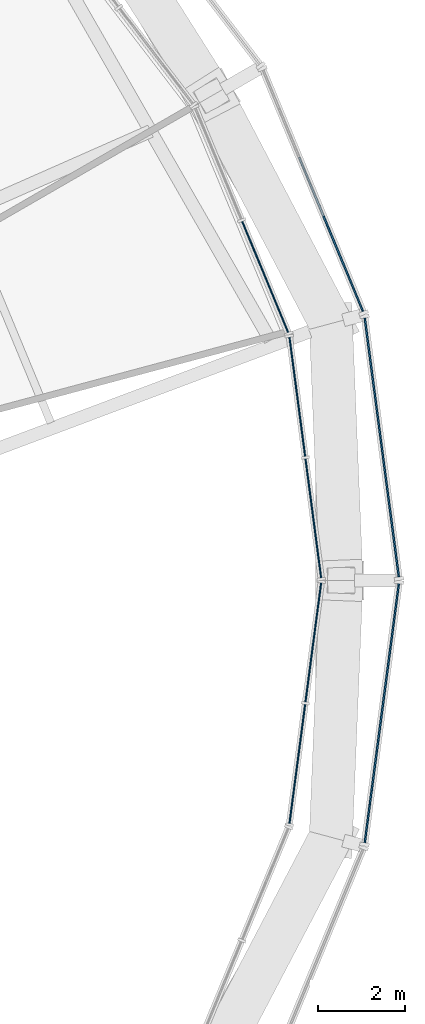
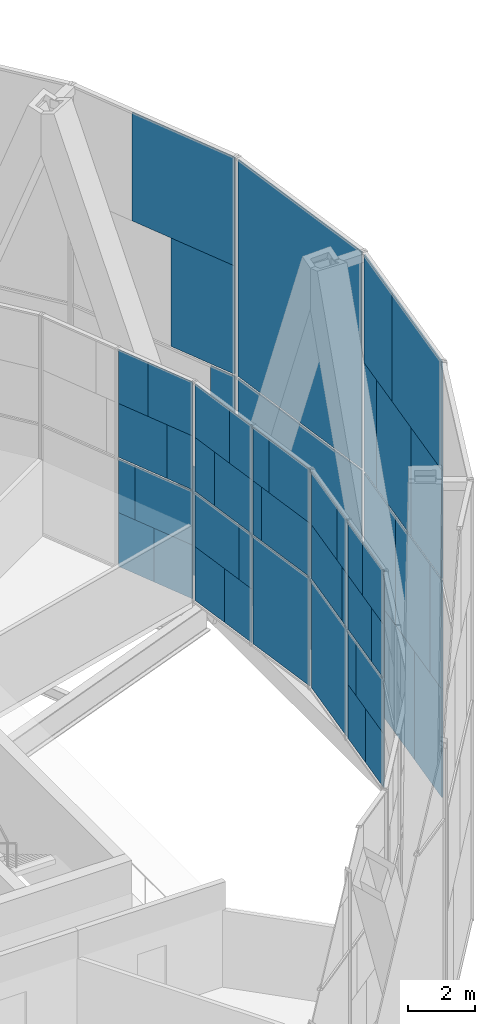
# One storey, part 15 of 22: 50 plates, 6 elements without a shape of their own.
"""IFC4 building model written with IfcOpenShell, lengths in metres."""

from ifc_helpers import new_model, si_unit, direction, frame, origin, origin_2d, place, context, subcontext, project, spatial, rectangle, extrude, material, layer, layer_set, type_object, element, aggregate, save


model = new_model("IFC4")

# Units and contexts
model_context = context("Model", 3, precision=1e-05, world=origin(), true_north=direction((0.0, 1.0)))
body_context = subcontext(model_context, "Body", "Model", "MODEL_VIEW")
ifc_project = project(units=[si_unit("LENGTHUNIT", "METRE"), si_unit("AREAUNIT", "SQUARE_METRE"), si_unit("VOLUMEUNIT", "CUBIC_METRE"), si_unit("PLANEANGLEUNIT", "RADIAN"), si_unit("MASSUNIT", "GRAM", prefix="KILO")], contexts=[model_context])

# Site, building, storey
site_placement = place(None, origin())
site = spatial("IfcSite", under=ifc_project, at=site_placement, CompositionType="ELEMENT")
building_placement = place(site_placement, origin())
building = spatial("IfcBuilding", under=site, at=building_placement, Name="Golbaran Civic Tower", CompositionType="ELEMENT")
storey_placement = place(building_placement, frame((0.0, 0.0, 264.0)))
storey = spatial("IfcBuildingStorey", under=building, at=storey_placement, Name="L64", CompositionType="ELEMENT", Elevation=264.0)

# Curtain wall, plates
ifc_material_1 = material(Name="Aluminium and glass", Category="aluminium")
curtain_wall_type_1 = type_object("IfcCurtainWallType", Name="INNER SKIN CURTAIN WALL EXECUTIVE", PredefinedType="NOTDEFINED", material=ifc_material_1)
curtain_wall_1_placement = place(storey_placement, origin())
curtain_wall_1 = element("IfcCurtainWall", 1, at=curtain_wall_1_placement, inside=storey, type_object=curtain_wall_type_1, Name="Inner skin L64 facet 1 CW2", ObjectType="INNER SKIN", PredefinedType="USERDEFINED")
ifc_material_2 = material(Name="Clear insulating glass", Category="glass")
ifc_layer_1 = layer(ifc_material_2, 0.031982421875, Name="Clear insulating glass")
ifc_layer_set_1 = layer_set([ifc_layer_1], Name="Clear insulating glass")
plate_type_1 = type_object("IfcPlateType", Name="INNER SKIN CURTAIN WALL EXECUTIVE GLAZED PANEL", PredefinedType="CURTAIN_PANEL", material=ifc_layer_set_1)
plate_1_placement = place(storey_placement, frame((21.750244140625, 1.434326171875, 0.06005859375), z_axis=(0.0, 0.0, 1.0), x_axis=(-0.130526192203, 0.991444861376, 0.0)))
plate_1 = element("IfcPlate", 2, at=plate_1_placement, type_object=plate_type_1, Name="CW2 panel 1.1", PredefinedType="CURTAIN_PANEL", context=body_context, shape_type="SweptSolid", body=[
    extrude(rectangle(XDim=2.773681640625, YDim=0.031982421875, at=origin_2d()), origin(), (0.0, 0.0, 1.0), 3.909912109375),
])
plate_2_placement = place(storey_placement, frame((21.7763671875, 1.2353515625, 4.030029296875), z_axis=(0.0, 0.0, 1.0), x_axis=(-0.130526192203, 0.991444861376, 0.0)))
plate_2 = element("IfcPlate", 3, at=plate_2_placement, type_object=plate_type_1, Name="CW2 panel 1.2 part 1", PredefinedType="CURTAIN_PANEL", context=body_context, shape_type="SweptSolid", body=[
    extrude(rectangle(XDim=2.3720703125, YDim=0.031982421875, at=origin_2d()), origin(), (0.0, 0.0, 1.0), 1.955078125),
])
plate_3_placement = place(storey_placement, frame((21.8017578125, 1.0419921875, 5.98486328125), z_axis=(0.0, 0.0, 1.0), x_axis=(-0.130526192203, 0.991444861376, 0.0)))
plate_3 = element("IfcPlate", 4, at=plate_3_placement, type_object=plate_type_1, Name="CW2 panel 1.2 part 3", PredefinedType="CURTAIN_PANEL", context=body_context, shape_type="SweptSolid", body=[
    extrude(rectangle(XDim=1.98193359375, YDim=0.031982421875, at=origin_2d()), origin(), (0.0, 0.0, 1.0), 1.955078125),
])
plate_4_placement = place(storey_placement, frame((21.473876953125, 3.533203125, 0.06005859375), z_axis=(0.0, 0.0, 1.0), x_axis=(-0.130526192203, 0.991444861376, 0.0)))
plate_4 = element("IfcPlate", 5, at=plate_4_placement, type_object=plate_type_1, Name="CW2 panel 2.1 part 1", PredefinedType="CURTAIN_PANEL", context=body_context, shape_type="SweptSolid", body=[
    extrude(rectangle(XDim=1.340087890625, YDim=0.031982421875, at=origin_2d()), origin(), (0.0, 0.0, 1.0), 1.955078125),
])
plate_5_placement = place(storey_placement, frame((21.52099609375, 3.17431640625, 2.014892578125), z_axis=(0.0, 0.0, 1.0), x_axis=(-0.130526192203, 0.991444861376, 0.0)))
plate_5 = element("IfcPlate", 6, at=plate_5_placement, type_object=plate_type_1, Name="CW2 panel 2.1 part 3", PredefinedType="CURTAIN_PANEL", context=body_context, shape_type="SweptSolid", body=[
    extrude(rectangle(XDim=0.615966796875, YDim=0.031982421875, at=origin_2d()), origin(), (0.0, 0.0, 1.0), 1.955078125),
])
plate_6_placement = place(storey_placement, frame((21.260986328125, 5.1494140625, 4.030029296875), z_axis=(0.0, 0.0, 1.0), x_axis=(-0.130526192203, 0.991444861376, 0.0)))
plate_6 = element("IfcPlate", 7, at=plate_6_placement, type_object=plate_type_1, Name="CW2 panel 2.2 part 2", PredefinedType="CURTAIN_PANEL", context=body_context, shape_type="SweptSolid", body=[
    extrude(rectangle(XDim=0.946533203125, YDim=0.031982421875, at=origin_2d()), origin(), (0.0, 0.0, 1.0), 1.955078125),
])
plate_7_placement = place(storey_placement, frame((21.308349609375, 4.791015625, 5.98486328125), z_axis=(0.0, 0.0, 1.0), x_axis=(-0.130526192203, 0.991444861376, 0.0)))
plate_7 = element("IfcPlate", 8, at=plate_7_placement, type_object=plate_type_1, Name="CW2 panel 2.2 part 4", PredefinedType="CURTAIN_PANEL", context=body_context, shape_type="SweptSolid", body=[
    extrude(rectangle(XDim=1.669677734375, YDim=0.031982421875, at=origin_2d()), origin(), (0.0, 0.0, 1.0), 1.955078125),
])

curtain_wall_2_placement = place(storey_placement, origin())
curtain_wall_2 = element("IfcCurtainWall", 9, at=curtain_wall_2_placement, inside=storey, type_object=curtain_wall_type_1, Name="Inner skin L64 facet 2 CW2", ObjectType="INNER SKIN", PredefinedType="USERDEFINED")
plate_8_placement = place(storey_placement, frame((20.36328125, 7.67724609375, 0.06005859375), z_axis=(0.0, 0.0, 1.0), x_axis=(-0.382683432349, 0.923879532518, 0.0)))
plate_8 = element("IfcPlate", 10, at=plate_8_placement, type_object=plate_type_1, Name="CW2 panel 1.1 part 2", PredefinedType="CURTAIN_PANEL", context=body_context, shape_type="SweptSolid", body=[
    extrude(rectangle(XDim=1.339599609375, YDim=0.031982421875, at=origin_2d()), origin(), (0.0, 0.0, 1.0), 1.955078125),
])
plate_9_placement = place(storey_placement, frame((20.22509765625, 8.01123046875, 2.014892578125), z_axis=(0.0, 0.0, 1.0), x_axis=(-0.382683432349, 0.923879532518, 0.0)))
plate_9 = element("IfcPlate", 11, at=plate_9_placement, type_object=plate_type_1, Name="CW2 panel 1.1 part 4", PredefinedType="CURTAIN_PANEL", context=body_context, shape_type="SweptSolid", body=[
    extrude(rectangle(XDim=0.61669921875, YDim=0.031982421875, at=origin_2d()), origin(), (0.0, 0.0, 1.0), 1.955078125),
])
plate_10_placement = place(storey_placement, frame((20.987548828125, 6.170654296875, 4.030029296875), z_axis=(0.0, 0.0, 1.0), x_axis=(-0.382683432349, 0.923879532518, 0.0)))
plate_10 = element("IfcPlate", 12, at=plate_10_placement, type_object=plate_type_1, Name="CW2 panel 1.2 part 1", PredefinedType="CURTAIN_PANEL", context=body_context, shape_type="SweptSolid", body=[
    extrude(rectangle(XDim=0.946044921875, YDim=0.031982421875, at=origin_2d()), origin(), (0.0, 0.0, 1.0), 1.955078125),
])
plate_11_placement = place(storey_placement, frame((20.84912109375, 6.504638671875, 5.98486328125), z_axis=(0.0, 0.0, 1.0), x_axis=(-0.382683432349, 0.923879532518, 0.0)))
plate_11 = element("IfcPlate", 13, at=plate_11_placement, type_object=plate_type_1, Name="CW2 panel 1.2 part 3", PredefinedType="CURTAIN_PANEL", context=body_context, shape_type="SweptSolid", body=[
    extrude(rectangle(XDim=1.6689453125, YDim=0.031982421875, at=origin_2d()), origin(), (0.0, 0.0, 1.0), 1.955078125),
])

curtain_wall_3_placement = place(storey_placement, origin())
curtain_wall_3 = element("IfcCurtainWall", 14, at=curtain_wall_3_placement, inside=storey, type_object=curtain_wall_type_1, Name="Inner skin L64 facet 24 CW2", ObjectType="INNER SKIN", PredefinedType="USERDEFINED")
plate_12_placement = place(storey_placement, frame((21.473876953125, -3.532958984375, 0.06005859375), z_axis=(0.0, 0.0, 1.0), x_axis=(0.130526192203, 0.991444861376, 0.0)))
plate_12 = element("IfcPlate", 15, at=plate_12_placement, type_object=plate_type_1, Name="CW2 panel 1.1 part 2", PredefinedType="CURTAIN_PANEL", context=body_context, shape_type="SweptSolid", body=[
    extrude(rectangle(XDim=1.339599609375, YDim=0.031982421875, at=origin_2d()), origin(), (0.0, 0.0, 1.0), 1.955078125),
])
plate_13_placement = place(storey_placement, frame((21.52099609375, -3.174560546875, 2.014892578125), z_axis=(0.0, 0.0, 1.0), x_axis=(0.130526192203, 0.991444861376, 0.0)))
plate_13 = element("IfcPlate", 16, at=plate_13_placement, type_object=plate_type_1, Name="CW2 panel 1.1 part 4", PredefinedType="CURTAIN_PANEL", context=body_context, shape_type="SweptSolid", body=[
    extrude(rectangle(XDim=0.61669921875, YDim=0.031982421875, at=origin_2d()), origin(), (0.0, 0.0, 1.0), 1.955078125),
])
plate_14_placement = place(storey_placement, frame((21.260986328125, -5.14990234375, 4.030029296875), z_axis=(0.0, 0.0, 1.0), x_axis=(0.130526192203, 0.991444861376, 0.0)))
plate_14 = element("IfcPlate", 17, at=plate_14_placement, type_object=plate_type_1, Name="CW2 panel 1.2 part 1", PredefinedType="CURTAIN_PANEL", context=body_context, shape_type="SweptSolid", body=[
    extrude(rectangle(XDim=0.946044921875, YDim=0.031982421875, at=origin_2d()), origin(), (0.0, 0.0, 1.0), 1.955078125),
])
plate_15_placement = place(storey_placement, frame((21.30810546875, -4.79150390625, 5.98486328125), z_axis=(0.0, 0.0, 1.0), x_axis=(0.130526192203, 0.991444861376, 0.0)))
plate_15 = element("IfcPlate", 18, at=plate_15_placement, type_object=plate_type_1, Name="CW2 panel 1.2 part 3", PredefinedType="CURTAIN_PANEL", context=body_context, shape_type="SweptSolid", body=[
    extrude(rectangle(XDim=1.6689453125, YDim=0.031982421875, at=origin_2d()), origin(), (0.0, 0.0, 1.0), 1.955078125),
])
plate_16_placement = place(storey_placement, frame((21.750244140625, -1.434326171875, 0.06005859375), z_axis=(0.0, 0.0, 1.0), x_axis=(0.130526192203, 0.991444861376, 0.0)))
plate_16 = element("IfcPlate", 19, at=plate_16_placement, type_object=plate_type_1, Name="CW2 panel 2.1", PredefinedType="CURTAIN_PANEL", context=body_context, shape_type="SweptSolid", body=[
    extrude(rectangle(XDim=2.773681640625, YDim=0.031982421875, at=origin_2d()), origin(), (0.0, 0.0, 1.0), 3.909912109375),
])
plate_17_placement = place(storey_placement, frame((21.7763671875, -1.235595703125, 4.030029296875), z_axis=(0.0, 0.0, 1.0), x_axis=(0.130526192203, 0.991444861376, 0.0)))
plate_17 = element("IfcPlate", 20, at=plate_17_placement, type_object=plate_type_1, Name="CW2 panel 2.2 part 2", PredefinedType="CURTAIN_PANEL", context=body_context, shape_type="SweptSolid", body=[
    extrude(rectangle(XDim=2.37255859375, YDim=0.031982421875, at=origin_2d()), origin(), (0.0, 0.0, 1.0), 1.955078125),
])
plate_18_placement = place(storey_placement, frame((21.8017578125, -1.041748046875, 5.98486328125), z_axis=(0.0, 0.0, 1.0), x_axis=(0.130526192203, 0.991444861376, 0.0)))
plate_18 = element("IfcPlate", 21, at=plate_18_placement, type_object=plate_type_1, Name="CW2 panel 2.2 part 4", PredefinedType="CURTAIN_PANEL", context=body_context, shape_type="SweptSolid", body=[
    extrude(rectangle(XDim=1.981689453125, YDim=0.031982421875, at=origin_2d()), origin(), (0.0, 0.0, 1.0), 1.955078125),
])

# Plate
ifc_material_3 = material(Name="Aluminium faced opaque infill panel", Category="aluminium")
ifc_layer_2 = layer(ifc_material_3, 0.031982421875, Name="Aluminium faced opaque infill panel")
ifc_layer_set_2 = layer_set([ifc_layer_2], Name="Aluminium faced opaque infill panel")
plate_type_2 = type_object("IfcPlateType", Name="INNER SKIN CURTAIN WALL EXECUTIVE OPAQUE INFILL PANEL", PredefinedType="CURTAIN_PANEL", material=ifc_layer_set_2)
plate_19_placement = place(storey_placement, frame((21.595458984375, 2.6103515625, 4.030029296875), z_axis=(0.0, 0.0, 1.0), x_axis=(-0.130526192203, 0.991444861376, 0.0)))
plate_19 = element("IfcPlate", 22, at=plate_19_placement, type_object=plate_type_2, Name="CW2 infill panel 1.2 part 2", PredefinedType="CURTAIN_PANEL", context=body_context, shape_type="SweptSolid", body=[
    extrude(rectangle(XDim=0.401611328125, YDim=0.031982421875, at=origin_2d()), origin(), (0.0, 0.0, 1.0), 1.955078125),
])

plate_20_placement = place(storey_placement, frame((21.620849609375, 2.4169921875, 5.98486328125), z_axis=(0.0, 0.0, 1.0), x_axis=(-0.130526192203, 0.991444861376, 0.0)))
plate_20 = element("IfcPlate", 23, at=plate_20_placement, type_object=plate_type_2, Name="CW2 infill panel 1.2 part 4", PredefinedType="CURTAIN_PANEL", context=body_context, shape_type="SweptSolid", body=[
    extrude(rectangle(XDim=0.79150390625, YDim=0.031982421875, at=origin_2d()), origin(), (0.0, 0.0, 1.0), 1.955078125),
])

plate_21_placement = place(storey_placement, frame((21.292724609375, 4.907958984375, 0.06005859375), z_axis=(0.0, 0.0, 1.0), x_axis=(-0.130526192203, 0.991444861376, 0.0)))
plate_21 = element("IfcPlate", 24, at=plate_21_placement, type_object=plate_type_2, Name="CW2 infill panel 2.1 part 2", PredefinedType="CURTAIN_PANEL", context=body_context, shape_type="SweptSolid", body=[
    extrude(rectangle(XDim=1.43359375, YDim=0.031982421875, at=origin_2d()), origin(), (0.0, 0.0, 1.0), 1.955078125),
])

plate_22_placement = place(storey_placement, frame((21.340087890625, 4.549072265625, 2.014892578125), z_axis=(0.0, 0.0, 1.0), x_axis=(-0.130526192203, 0.991444861376, 0.0)))
plate_22 = element("IfcPlate", 25, at=plate_22_placement, type_object=plate_type_2, Name="CW2 infill panel 2.1 part 4", PredefinedType="CURTAIN_PANEL", context=body_context, shape_type="SweptSolid", body=[
    extrude(rectangle(XDim=2.15771484375, YDim=0.031982421875, at=origin_2d()), origin(), (0.0, 0.0, 1.0), 1.955078125),
])

plate_23_placement = place(storey_placement, frame((21.442138671875, 3.774658203125, 4.030029296875), z_axis=(0.0, 0.0, 1.0), x_axis=(-0.130526192203, 0.991444861376, 0.0)))
plate_23 = element("IfcPlate", 26, at=plate_23_placement, type_object=plate_type_2, Name="CW2 infill panel 2.2 part 1", PredefinedType="CURTAIN_PANEL", context=body_context, shape_type="SweptSolid", body=[
    extrude(rectangle(XDim=1.826904296875, YDim=0.031982421875, at=origin_2d()), origin(), (0.0, 0.0, 1.0), 1.955078125),
])

plate_24_placement = place(storey_placement, frame((21.4892578125, 3.416015625, 5.98486328125), z_axis=(0.0, 0.0, 1.0), x_axis=(-0.130526192203, 0.991444861376, 0.0)))
plate_24 = element("IfcPlate", 27, at=plate_24_placement, type_object=plate_type_2, Name="CW2 infill panel 2.2 part 3", PredefinedType="CURTAIN_PANEL", context=body_context, shape_type="SweptSolid", body=[
    extrude(rectangle(XDim=1.10400390625, YDim=0.031982421875, at=origin_2d()), origin(), (0.0, 0.0, 1.0), 1.955078125),
])

aggregate(curtain_wall_1, [plate_1, plate_2, plate_19, plate_3, plate_20, plate_4, plate_21, plate_5, plate_22, plate_23, plate_6, plate_24, plate_7])

plate_25_placement = place(storey_placement, frame((20.89404296875, 6.39599609375, 0.06005859375), z_axis=(0.0, 0.0, 1.0), x_axis=(-0.382683432349, 0.923879532518, 0.0)))
plate_25 = element("IfcPlate", 28, at=plate_25_placement, type_object=plate_type_2, Name="CW2 infill panel 1.1 part 1", PredefinedType="CURTAIN_PANEL", context=body_context, shape_type="SweptSolid", body=[
    extrude(rectangle(XDim=1.43408203125, YDim=0.031982421875, at=origin_2d()), origin(), (0.0, 0.0, 1.0), 1.955078125),
])

plate_26_placement = place(storey_placement, frame((20.755859375, 6.72998046875, 2.014892578125), z_axis=(0.0, 0.0, 1.0), x_axis=(-0.382683432349, 0.923879532518, 0.0)))
plate_26 = element("IfcPlate", 29, at=plate_26_placement, type_object=plate_type_2, Name="CW2 infill panel 1.1 part 3", PredefinedType="CURTAIN_PANEL", context=body_context, shape_type="SweptSolid", body=[
    extrude(rectangle(XDim=2.156982421875, YDim=0.031982421875, at=origin_2d()), origin(), (0.0, 0.0, 1.0), 1.955078125),
])

plate_27_placement = place(storey_placement, frame((20.456787109375, 7.451904296875, 4.030029296875), z_axis=(0.0, 0.0, 1.0), x_axis=(-0.382683432349, 0.923879532518, 0.0)))
plate_27 = element("IfcPlate", 30, at=plate_27_placement, type_object=plate_type_2, Name="CW2 infill panel 1.2 part 2", PredefinedType="CURTAIN_PANEL", context=body_context, shape_type="SweptSolid", body=[
    extrude(rectangle(XDim=1.82763671875, YDim=0.031982421875, at=origin_2d()), origin(), (0.0, 0.0, 1.0), 1.955078125),
])

plate_28_placement = place(storey_placement, frame((20.318359375, 7.785888671875, 5.98486328125), z_axis=(0.0, 0.0, 1.0), x_axis=(-0.382683432349, 0.923879532518, 0.0)))
plate_28 = element("IfcPlate", 31, at=plate_28_placement, type_object=plate_type_2, Name="CW2 infill panel 1.2 part 4", PredefinedType="CURTAIN_PANEL", context=body_context, shape_type="SweptSolid", body=[
    extrude(rectangle(XDim=1.1044921875, YDim=0.031982421875, at=origin_2d()), origin(), (0.0, 0.0, 1.0), 1.955078125),
])

aggregate(curtain_wall_2, [plate_25, plate_8, plate_26, plate_9, plate_10, plate_27, plate_11, plate_28])

plate_29_placement = place(storey_placement, frame((21.29296875, -4.907958984375, 0.06005859375), z_axis=(0.0, 0.0, 1.0), x_axis=(0.130526192203, 0.991444861376, 0.0)))
plate_29 = element("IfcPlate", 32, at=plate_29_placement, type_object=plate_type_2, Name="CW2 infill panel 1.1 part 1", PredefinedType="CURTAIN_PANEL", context=body_context, shape_type="SweptSolid", body=[
    extrude(rectangle(XDim=1.43408203125, YDim=0.031982421875, at=origin_2d()), origin(), (0.0, 0.0, 1.0), 1.955078125),
])

plate_30_placement = place(storey_placement, frame((21.340087890625, -4.549560546875, 2.014892578125), z_axis=(0.0, 0.0, 1.0), x_axis=(0.130526192203, 0.991444861376, 0.0)))
plate_30 = element("IfcPlate", 33, at=plate_30_placement, type_object=plate_type_2, Name="CW2 infill panel 1.1 part 3", PredefinedType="CURTAIN_PANEL", context=body_context, shape_type="SweptSolid", body=[
    extrude(rectangle(XDim=2.156982421875, YDim=0.031982421875, at=origin_2d()), origin(), (0.0, 0.0, 1.0), 1.955078125),
])

plate_31_placement = place(storey_placement, frame((21.442138671875, -3.77490234375, 4.030029296875), z_axis=(0.0, 0.0, 1.0), x_axis=(0.130526192203, 0.991444861376, 0.0)))
plate_31 = element("IfcPlate", 34, at=plate_31_placement, type_object=plate_type_2, Name="CW2 infill panel 1.2 part 2", PredefinedType="CURTAIN_PANEL", context=body_context, shape_type="SweptSolid", body=[
    extrude(rectangle(XDim=1.82763671875, YDim=0.031982421875, at=origin_2d()), origin(), (0.0, 0.0, 1.0), 1.955078125),
])

plate_32_placement = place(storey_placement, frame((21.4892578125, -3.41650390625, 5.98486328125), z_axis=(0.0, 0.0, 1.0), x_axis=(0.130526192203, 0.991444861376, 0.0)))
plate_32 = element("IfcPlate", 35, at=plate_32_placement, type_object=plate_type_2, Name="CW2 infill panel 1.2 part 4", PredefinedType="CURTAIN_PANEL", context=body_context, shape_type="SweptSolid", body=[
    extrude(rectangle(XDim=1.1044921875, YDim=0.031982421875, at=origin_2d()), origin(), (0.0, 0.0, 1.0), 1.955078125),
])

plate_33_placement = place(storey_placement, frame((21.59521484375, -2.610595703125, 4.030029296875), z_axis=(0.0, 0.0, 1.0), x_axis=(0.130526192203, 0.991444861376, 0.0)))
plate_33 = element("IfcPlate", 36, at=plate_33_placement, type_object=plate_type_2, Name="CW2 infill panel 2.2 part 1", PredefinedType="CURTAIN_PANEL", context=body_context, shape_type="SweptSolid", body=[
    extrude(rectangle(XDim=0.40087890625, YDim=0.031982421875, at=origin_2d()), origin(), (0.0, 0.0, 1.0), 1.955078125),
])

plate_34_placement = place(storey_placement, frame((21.620849609375, -2.416748046875, 5.98486328125), z_axis=(0.0, 0.0, 1.0), x_axis=(0.130526192203, 0.991444861376, 0.0)))
plate_34 = element("IfcPlate", 37, at=plate_34_placement, type_object=plate_type_2, Name="CW2 infill panel 2.2 part 3", PredefinedType="CURTAIN_PANEL", context=body_context, shape_type="SweptSolid", body=[
    extrude(rectangle(XDim=0.7919921875, YDim=0.031982421875, at=origin_2d()), origin(), (0.0, 0.0, 1.0), 1.955078125),
])

aggregate(curtain_wall_3, [plate_29, plate_12, plate_30, plate_13, plate_14, plate_31, plate_15, plate_32, plate_16, plate_33, plate_17, plate_34, plate_18])

# Curtain wall, plates
curtain_wall_type_2 = type_object("IfcCurtainWallType", Name="OUTER SKIN TERRACOTTA SCREEN", PredefinedType="NOTDEFINED", material=ifc_material_1)
curtain_wall_4_placement = place(storey_placement, origin())
curtain_wall_4 = element("IfcCurtainWall", 38, at=curtain_wall_4_placement, inside=storey, type_object=curtain_wall_type_2, Name="Outer skin L64 facet 2 CW3", ObjectType="OUTER SKIN", PredefinedType="USERDEFINED")
ifc_material_4 = material(Name="Clear laminated glass", Category="glass")
ifc_layer_3 = layer(ifc_material_4, 0.0400390625, Name="Clear laminated glass")
ifc_layer_set_3 = layer_set([ifc_layer_3], Name="Clear laminated glass")
plate_type_3 = type_object("IfcPlateType", Name="OUTER SKIN CLEAR GLASS PANEL", PredefinedType="CURTAIN_PANEL", material=ifc_layer_set_3)
plate_35_placement = place(storey_placement, frame((22.727294921875, 6.631103515625, 3.31005859375), z_axis=(0.0, 0.0, 1.0), x_axis=(-0.382683432333, 0.923879532525, 0.0)))
plate_35 = element("IfcPlate", 39, at=plate_35_placement, type_object=plate_type_3, Name="CW3 panel 1.1 part 3", PredefinedType="CURTAIN_PANEL", context=body_context, shape_type="SweptSolid", body=[
    extrude(rectangle(XDim=0.89501953125, YDim=0.0400390625, at=origin_2d()), origin(), (0.0, 0.0, 1.0), 3.93994140625),
])
plate_36_placement = place(storey_placement, frame((22.442626953125, 7.318603515625, 7.330078125), z_axis=(0.0, 0.0, 1.0), x_axis=(-0.382683432333, 0.923879532525, 0.0)))
plate_36 = element("IfcPlate", 40, at=plate_36_placement, type_object=plate_type_3, Name="CW3 panel 1.2 part 1", PredefinedType="CURTAIN_PANEL", context=body_context, shape_type="SweptSolid", body=[
    extrude(rectangle(XDim=2.383056640625, YDim=0.0400390625, at=origin_2d()), origin(), (0.0, 0.0, 1.0), 3.93994140625),
])
plate_37_placement = place(storey_placement, frame((22.161376953125, 7.9970703125, 11.27001953125), z_axis=(0.0, 0.0, 1.0), x_axis=(-0.382683432333, 0.923879532525, 0.0)))
plate_37 = element("IfcPlate", 41, at=plate_37_placement, type_object=plate_type_3, Name="CW3 panel 1.2 part 4", PredefinedType="CURTAIN_PANEL", context=body_context, shape_type="SweptSolid", body=[
    extrude(rectangle(XDim=3.85205078125, YDim=0.0400390625, at=origin_2d()), origin(), (0.0, 0.0, 1.0), 3.93994140625),
])

curtain_wall_5_placement = place(storey_placement, origin())
curtain_wall_5 = element("IfcCurtainWall", 42, at=curtain_wall_5_placement, inside=storey, type_object=curtain_wall_type_2, Name="Outer skin L64 facet 24 CW3", ObjectType="OUTER SKIN", PredefinedType="USERDEFINED")
plate_38_placement = place(storey_placement, frame((23.472412109375, -2.01708984375, -0.6298828125), z_axis=(0.0, 0.0, 1.0), x_axis=(0.130526192289, 0.991444861365, 0.0)))
plate_38 = element("IfcPlate", 43, at=plate_38_placement, type_object=plate_type_3, Name="CW3 panel 1.1 part 2", PredefinedType="CURTAIN_PANEL", context=body_context, shape_type="SweptSolid", body=[
    extrude(rectangle(XDim=3.908935546875, YDim=0.0400390625, at=origin_2d()), origin(), (0.0, 0.0, 1.0), 3.93994140625),
])
plate_39_placement = place(storey_placement, frame((22.998046875, -5.620849609375, 3.31005859375), z_axis=(0.0, 0.0, 1.0), x_axis=(0.130526192289, 0.991444861365, 0.0)))
plate_39 = element("IfcPlate", 44, at=plate_39_placement, type_object=plate_type_3, Name="CW3 panel 1.1 part 3", PredefinedType="CURTAIN_PANEL", context=body_context, shape_type="SweptSolid", body=[
    extrude(rectangle(XDim=0.89501953125, YDim=0.0400390625, at=origin_2d()), origin(), (0.0, 0.0, 1.0), 3.93994140625),
])
plate_40_placement = place(storey_placement, frame((23.567626953125, -1.294677734375, 3.31005859375), z_axis=(0.0, 0.0, 1.0), x_axis=(0.130526192289, 0.991444861365, 0.0)))
plate_40 = element("IfcPlate", 45, at=plate_40_placement, type_object=plate_type_3, Name="CW3 panel 1.1 part 5", PredefinedType="CURTAIN_PANEL", context=body_context, shape_type="SweptSolid", body=[
    extrude(rectangle(XDim=2.451904296875, YDim=0.0400390625, at=origin_2d()), origin(), (0.0, 0.0, 1.0), 3.93994140625),
])
plate_41_placement = place(storey_placement, frame((23.09521484375, -4.88330078125, 7.330078125), z_axis=(0.0, 0.0, 1.0), x_axis=(0.130526192289, 0.991444861365, 0.0)))
plate_41 = element("IfcPlate", 46, at=plate_41_placement, type_object=plate_type_3, Name="CW3 panel 1.2 part 1", PredefinedType="CURTAIN_PANEL", context=body_context, shape_type="SweptSolid", body=[
    extrude(rectangle(XDim=2.383056640625, YDim=0.0400390625, at=origin_2d()), origin(), (0.0, 0.0, 1.0), 3.93994140625),
])
plate_42_placement = place(storey_placement, frame((23.66455078125, -0.5576171875, 7.330078125), z_axis=(0.0, 0.0, 1.0), x_axis=(0.130526192289, 0.991444861365, 0.0)))
plate_42 = element("IfcPlate", 47, at=plate_42_placement, type_object=plate_type_3, Name="CW3 panel 1.2 part 3", PredefinedType="CURTAIN_PANEL", context=body_context, shape_type="SweptSolid", body=[
    extrude(rectangle(XDim=0.96484375, YDim=0.0400390625, at=origin_2d()), origin(), (0.0, 0.0, 1.0), 3.93994140625),
])
plate_43_placement = place(storey_placement, frame((23.19091796875, -4.155029296875, 11.27001953125), z_axis=(0.0, 0.0, 1.0), x_axis=(0.130526192289, 0.991444861365, 0.0)))
plate_43 = element("IfcPlate", 48, at=plate_43_placement, type_object=plate_type_3, Name="CW3 panel 1.2 part 4", PredefinedType="CURTAIN_PANEL", context=body_context, shape_type="SweptSolid", body=[
    extrude(rectangle(XDim=3.85205078125, YDim=0.0400390625, at=origin_2d()), origin(), (0.0, 0.0, 1.0), 3.93994140625),
])

# Plate
ifc_material_5 = material(Name="Terracotta baguette screen", Category="masonry")
ifc_layer_4 = layer(ifc_material_5, 0.0400390625, Name="Terracotta baguette screen")
ifc_layer_set_4 = layer_set([ifc_layer_4], Name="Terracotta baguette screen")
plate_type_4 = type_object("IfcPlateType", Name="OUTER SKIN TERRACOTTA INFILL PANEL", PredefinedType="CURTAIN_PANEL", material=ifc_layer_set_4)
plate_44_placement = place(storey_placement, frame((22.491455078125, 7.20068359375, -0.6298828125), z_axis=(0.0, 0.0, 1.0), x_axis=(-0.382683432333, 0.923879532525, 0.0)))
plate_44 = element("IfcPlate", 49, at=plate_44_placement, type_object=plate_type_4, Name="CW3 infill panel 1.1 part 1", PredefinedType="CURTAIN_PANEL", context=body_context, shape_type="SweptSolid", body=[
    extrude(rectangle(XDim=2.1279296875, YDim=0.0400390625, at=origin_2d()), origin(), (0.0, 0.0, 1.0), 3.93994140625),
])

aggregate(curtain_wall_4, [plate_44, plate_35, plate_36, plate_37])

plate_45_placement = place(storey_placement, frame((23.078369140625, -5.009521484375, -0.6298828125), z_axis=(0.0, 0.0, 1.0), x_axis=(0.130526192289, 0.991444861365, 0.0)))
plate_45 = element("IfcPlate", 50, at=plate_45_placement, type_object=plate_type_4, Name="CW3 infill panel 1.1 part 1", PredefinedType="CURTAIN_PANEL", context=body_context, shape_type="SweptSolid", body=[
    extrude(rectangle(XDim=2.1279296875, YDim=0.0400390625, at=origin_2d()), origin(), (0.0, 0.0, 1.0), 3.93994140625),
])

plate_46_placement = place(storey_placement, frame((23.23193359375, -3.84375, 3.31005859375), z_axis=(0.0, 0.0, 1.0), x_axis=(0.130526192289, 0.991444861365, 0.0)))
plate_46 = element("IfcPlate", 51, at=plate_46_placement, type_object=plate_type_4, Name="CW3 infill panel 1.1 part 4", PredefinedType="CURTAIN_PANEL", context=body_context, shape_type="SweptSolid", body=[
    extrude(rectangle(XDim=2.68994140625, YDim=0.0400390625, at=origin_2d()), origin(), (0.0, 0.0, 1.0), 3.93994140625),
])

plate_47_placement = place(storey_placement, frame((23.426025390625, -2.368896484375, 7.330078125), z_axis=(0.0, 0.0, 1.0), x_axis=(0.130526192289, 0.991444861365, 0.0)))
plate_47 = element("IfcPlate", 52, at=plate_47_placement, type_object=plate_type_4, Name="CW3 infill panel 1.2 part 2", PredefinedType="CURTAIN_PANEL", context=body_context, shape_type="SweptSolid", body=[
    extrude(rectangle(XDim=2.68896484375, YDim=0.0400390625, at=origin_2d()), origin(), (0.0, 0.0, 1.0), 3.93994140625),
])

plate_48_placement = place(storey_placement, frame((23.5849609375, -1.162353515625, 11.27001953125), z_axis=(0.0, 0.0, 1.0), x_axis=(0.130526192289, 0.991444861365, 0.0)))
plate_48 = element("IfcPlate", 53, at=plate_48_placement, type_object=plate_type_4, Name="CW3 infill panel 1.2 part 5", PredefinedType="CURTAIN_PANEL", context=body_context, shape_type="SweptSolid", body=[
    extrude(rectangle(XDim=2.184814453125, YDim=0.0400390625, at=origin_2d()), origin(), (0.0, 0.0, 1.0), 3.93994140625),
])

aggregate(curtain_wall_5, [plate_45, plate_38, plate_39, plate_46, plate_40, plate_41, plate_47, plate_42, plate_43, plate_48])

# Curtain wall, plates
curtain_wall_6_placement = place(storey_placement, origin())
curtain_wall_6 = element("IfcCurtainWall", 54, at=curtain_wall_6_placement, inside=storey, type_object=curtain_wall_type_2, Name="Outer skin L64 facet 1 CW3", ObjectType="OUTER SKIN", PredefinedType="USERDEFINED")
ifc_layer_5 = layer(ifc_material_5, 0.0400390625, Name="Terracotta baguette screen")
ifc_layer_set_5 = layer_set([ifc_layer_5], Name="Terracotta baguette screen")
plate_type_5 = type_object("IfcPlateType", Name="OUTER SKIN TERRACOTTA SCREEN PANEL", PredefinedType="CURTAIN_PANEL", material=ifc_layer_set_5)
plate_49_placement = place(storey_placement, frame((23.33349609375, 3.072021484375, -0.6298828125), z_axis=(0.0, 0.0, 1.0), x_axis=(-0.130526192289, 0.991444861365, 0.0)))
plate_49 = element("IfcPlate", 55, at=plate_49_placement, type_object=plate_type_5, Name="CW3 terracotta screen panel 1.1", PredefinedType="CURTAIN_PANEL", context=body_context, shape_type="SweptSolid", body=[
    extrude(rectangle(XDim=6.036865234375, YDim=0.0400390625, at=origin_2d()), origin(), (0.0, 0.0, 1.0), 7.8798828125),
])
plate_50_placement = place(storey_placement, frame((23.33349609375, 3.072021484375, 7.330078125), z_axis=(0.0, 0.0, 1.0), x_axis=(-0.130526192289, 0.991444861365, 0.0)))
plate_50 = element("IfcPlate", 56, at=plate_50_placement, type_object=plate_type_5, Name="CW3 terracotta screen panel 1.2", PredefinedType="CURTAIN_PANEL", context=body_context, shape_type="SweptSolid", body=[
    extrude(rectangle(XDim=6.036865234375, YDim=0.0400390625, at=origin_2d()), origin(), (0.0, 0.0, 1.0), 7.8798828125),
])
aggregate(curtain_wall_6, [plate_49, plate_50])

save(model, "model.ifc")
